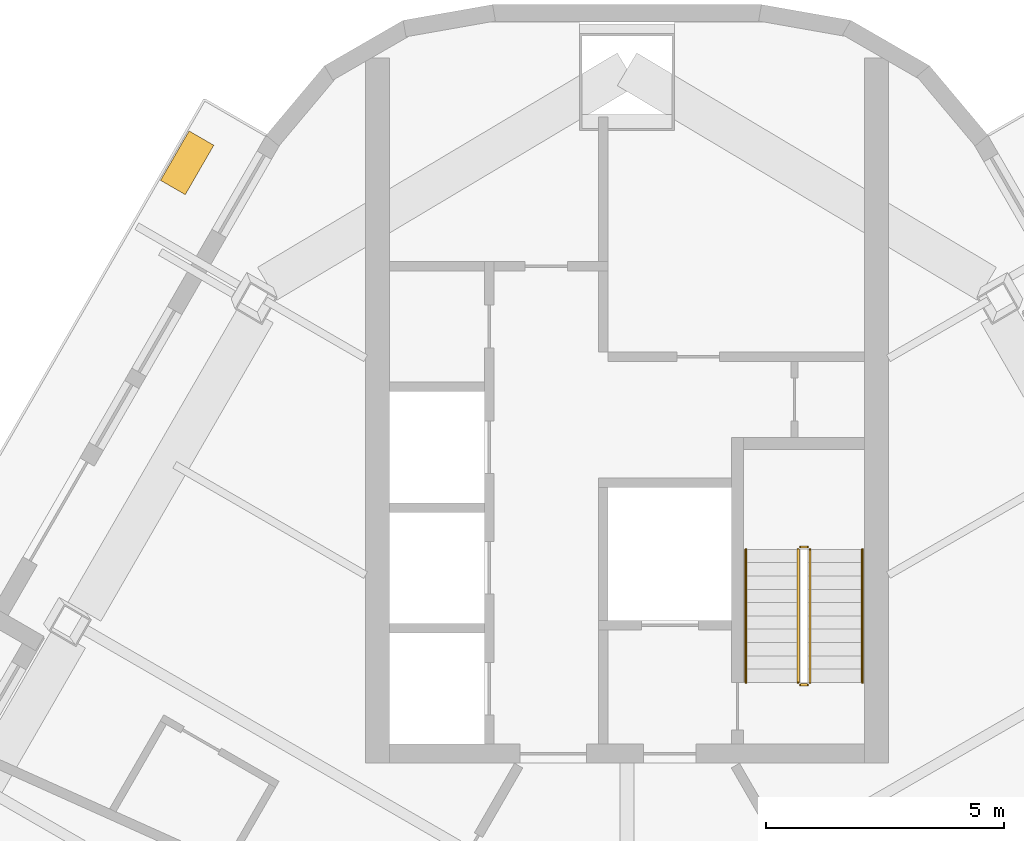
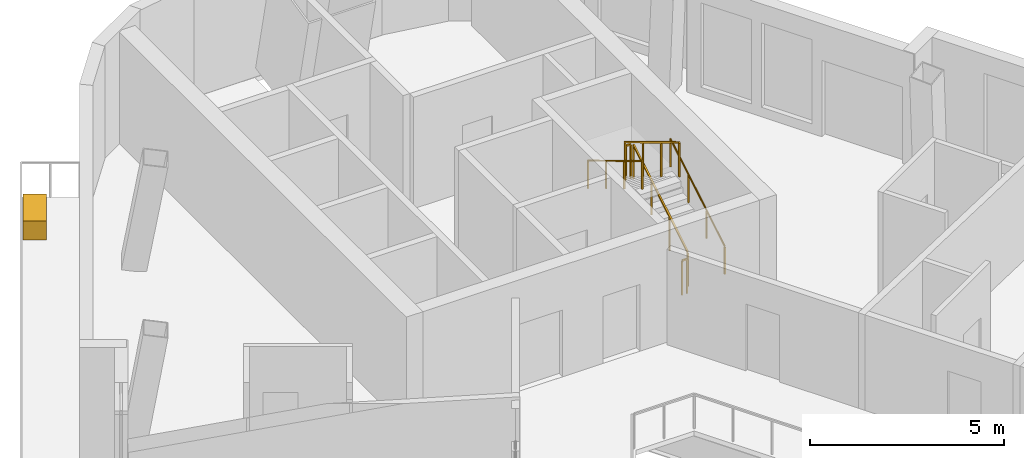
# One storey, part 14 of 14: 6 railings, 1 covering.
"""IFC4 building model written with IfcOpenShell, lengths in metres."""

import ifcopenshell
import ifcopenshell.guid

model = None  # the IFC model being written
_history = None  # IfcOwnerHistory: only IFC2X3 demands one
_inside = {}  # id of a spatial element -> (the spatial element, [elements in it])
_under = {}  # id of a project, library or spatial element -> (it, [spatial elements below it])
_declared = {}  # id of a project -> (the project, [libraries it declares])
_typed = {}  # id of a type object -> (the type object, [elements of that type])
_made_of = {}  # id of a material, layer set ... -> (it, [elements and type objects made of it])


def new_model(schema):
    """Start an empty IFC model of exactly this schema.

    Asked for "IFC4X3", IfcOpenShell would pick the latest addendum, in which some entities
    have other attributes; the version numbers below select the first issue.
    IFC2X3 requires an IfcOwnerHistory on every rooted entity: one is made here for all.
    """
    global model, _history
    if schema == "IFC4X3":
        model = ifcopenshell.file(schema_version=(4, 3, 0, 0))
    else:
        model = ifcopenshell.file(schema=schema)
    _inside.clear()
    _under.clear()
    _declared.clear()
    _typed.clear()
    _made_of.clear()
    _history = None
    if model.schema == "IFC2X3":
        org = make("IfcOrganization", Name="unknown")
        user = make(
            "IfcPersonAndOrganization",
            ThePerson=make("IfcPerson", FamilyName="unknown"),
            TheOrganization=org,
        )
        app = make(
            "IfcApplication",
            ApplicationDeveloper=org,
            Version="unknown",
            ApplicationFullName="unknown",
            ApplicationIdentifier="unknown",
        )
        _history = make(
            "IfcOwnerHistory",
            OwningUser=user,
            OwningApplication=app,
            ChangeAction="ADDED",
            CreationDate=0,
        )
    return model


def make(cls, **values):
    """One entity of the class cls with the attributes given. An attribute that is None is left unset."""
    return model.create_entity(
        cls, **{name: value for name, value in values.items() if value is not None}
    )


def rooted(cls, **values):
    """An entity with a GlobalId (a new one), such as an element, a storey or a relation."""
    return make(cls, GlobalId=ifcopenshell.guid.new(), OwnerHistory=_history, **values)


def si_unit(unit_type, name, prefix=None):
    """IfcSIUnit, for example si_unit("LENGTHUNIT", "METRE", prefix="MILLI")."""
    return make("IfcSIUnit", UnitType=unit_type, Prefix=prefix, Name=name)


def assignment(units):
    """IfcUnitAssignment: the units of a project."""
    return None if units is None else make("IfcUnitAssignment", Units=units)


def point(xyz):
    """IfcCartesianPoint."""
    return None if xyz is None else make("IfcCartesianPoint", Coordinates=xyz)


def direction(xyz):
    """IfcDirection."""
    return None if xyz is None else make("IfcDirection", DirectionRatios=xyz)


def frame(location, z_axis=None, x_axis=None):
    """IfcAxis2Placement3D, a coordinate frame: its origin and axes. An axis left out is left unset."""
    return make(
        "IfcAxis2Placement3D",
        Location=point(location),
        Axis=direction(z_axis),
        RefDirection=direction(x_axis),
    )


def frame_2d(location, x_axis=None):
    """IfcAxis2Placement2D, a coordinate frame in the plane: its origin and x axis."""
    return make(
        "IfcAxis2Placement2D", Location=point(location), RefDirection=direction(x_axis)
    )


def origin():
    """The frame at (0, 0, 0) with its axes left unset."""
    return frame((0.0, 0.0, 0.0))


def origin_2d():
    """The frame at (0, 0) in the plane with its x axis left unset."""
    return frame_2d((0.0, 0.0))


def place(relative_to, where):
    """IfcLocalPlacement: puts the frame where relative to a parent placement (None: the world)."""
    return make(
        "IfcLocalPlacement", PlacementRelTo=relative_to, RelativePlacement=where
    )


def context(
    kind, dimensions, precision=None, world=None, true_north=None, identifier=None
):
    """IfcGeometricRepresentationContext, for example the 3D "Model" context."""
    return make(
        "IfcGeometricRepresentationContext",
        ContextIdentifier=identifier,
        ContextType=kind,
        CoordinateSpaceDimension=dimensions,
        Precision=precision,
        WorldCoordinateSystem=world,
        TrueNorth=true_north,
    )


def subcontext(parent, identifier, kind, view, scale=None):
    """IfcGeometricRepresentationSubContext, for example "Body" below "Model"."""
    return make(
        "IfcGeometricRepresentationSubContext",
        ContextIdentifier=identifier,
        ContextType=kind,
        ParentContext=parent,
        TargetScale=scale,
        TargetView=view,
    )


def project(units=None, contexts=None):
    """IfcProject with its units and contexts."""
    return rooted(
        "IfcProject",
        Name="project",
        RepresentationContexts=contexts,
        UnitsInContext=assignment(units),
    )


def spatial(cls, under=None, at=None, **own):
    """A site, building, storey or space (cls), placed at a placement, below another one or the project."""
    s = rooted(cls, ObjectPlacement=at, **own)
    if under is not None:
        _under.setdefault(under.id(), (under, []))[1].append(s)
    return s


def profile(cls, at=None, kind="AREA", **sizes):
    """A parametric profile (cls). Its sizes go by their IFC names, for example OverallWidth=200.0."""
    return make(cls, ProfileType=kind, Position=at, **sizes)


def rectangle(**sizes):
    """IfcRectangleProfileDef."""
    return profile("IfcRectangleProfileDef", **sizes)


def circle(**sizes):
    """IfcCircleProfileDef."""
    return profile("IfcCircleProfileDef", **sizes)


def extrude(swept, where, along, depth):
    """IfcExtrudedAreaSolid: the profile swept, set in the frame where, extruded along a direction by depth."""
    return make(
        "IfcExtrudedAreaSolid",
        SweptArea=swept,
        Position=where,
        ExtrudedDirection=direction(along),
        Depth=depth,
    )


def shape(context_of_items, identifier, shape_type, items):
    """IfcShapeRepresentation: the items that make up one representation, for example the "Body"."""
    return make(
        "IfcShapeRepresentation",
        ContextOfItems=context_of_items,
        RepresentationIdentifier=identifier,
        RepresentationType=shape_type,
        Items=items,
    )


def material(Name=None, Category=None):
    """IfcMaterial."""
    return make("IfcMaterial", Name=Name, Category=Category)


def made_of(thing, what):
    """Note that an element or type object is made of a material, layer set ...; save() writes the relation."""
    if what is not None:
        _made_of.setdefault(what.id(), (what, []))[1].append(thing)
    return thing


def type_object(cls, material=None, **own):
    """A type object (cls), such as IfcWallType, which elements share."""
    return made_of(rooted(cls, **own), material)


def element(
    cls,
    number,
    at=None,
    inside=None,
    cuts=None,
    type_object=None,
    material=None,
    context=None,
    identifier="Body",
    shape_type=None,
    held_by="IfcProductDefinitionShape",
    body=None,
    shapes=None,
    **own,
):
    """One element of the class cls, such as IfcWall. Its Tag is "e" and its number.

    at: its placement. inside: the storey or other place that contains it. cuts: it is an
    opening in that element (IfcRelVoidsElement). A single representation is given by context,
    identifier, shape_type and body (its items); several are given by shapes. held_by: the class
    of the entity that holds the representations. save() writes the other relations.
    """
    e = rooted(cls, Tag="e%d" % number, ObjectPlacement=at, **own)
    if body is not None:
        shapes = [shape(context, identifier, shape_type, body)]
    if shapes is not None:
        e.Representation = make(held_by, Representations=shapes)
    if inside is not None:
        _inside.setdefault(inside.id(), (inside, []))[1].append(e)
    if cuts is not None:
        rooted(
            "IfcRelVoidsElement", RelatingBuildingElement=cuts, RelatedOpeningElement=e
        )
    if type_object is not None:
        _typed.setdefault(type_object.id(), (type_object, []))[1].append(e)
    return made_of(e, material)


def aggregate(whole, parts):
    """IfcRelAggregates: a whole, such as a stair, and the parts it consists of."""
    return rooted("IfcRelAggregates", RelatingObject=whole, RelatedObjects=parts)


def save(model, path):
    """Write the relations noted so far, then the file.

    IfcRelAggregates (storeys below a building ...), IfcRelContainedInSpatialStructure (elements
    in a storey), IfcRelDefinesByType, IfcRelAssociatesMaterial and IfcRelDeclares: one each for
    every whole, place, type object, material and project.
    """
    for whole, parts in _under.values():
        aggregate(whole, parts)
    for where, things in _inside.values():
        rooted(
            "IfcRelContainedInSpatialStructure",
            RelatedElements=things,
            RelatingStructure=where,
        )
    for kind, things in _typed.values():
        rooted("IfcRelDefinesByType", RelatedObjects=things, RelatingType=kind)
    for what, things in _made_of.values():
        rooted("IfcRelAssociatesMaterial", RelatedObjects=things, RelatingMaterial=what)
    for by, libraries in _declared.values():
        rooted("IfcRelDeclares", RelatingContext=by, RelatedDefinitions=libraries)
    model.write(path)


model = new_model("IFC4")

# Units and contexts
model_context = context("Model", 3, precision=1e-05, world=origin(), true_north=direction((0.0, 1.0)))
body_context = subcontext(model_context, "Body", "Model", "MODEL_VIEW")
ifc_project = project(units=[si_unit("LENGTHUNIT", "METRE"), si_unit("AREAUNIT", "SQUARE_METRE"), si_unit("VOLUMEUNIT", "CUBIC_METRE"), si_unit("PLANEANGLEUNIT", "RADIAN"), si_unit("MASSUNIT", "GRAM", prefix="KILO")], contexts=[model_context])

# Site, building, storey
site_placement = place(None, origin())
site = spatial("IfcSite", under=ifc_project, at=site_placement, CompositionType="ELEMENT")
building_placement = place(site_placement, origin())
building = spatial("IfcBuilding", under=site, at=building_placement, Name="Apuvela Tower Hotel", CompositionType="ELEMENT")
storey_placement = place(building_placement, frame((0.0, 0.0, 254.10009765625)))
storey = spatial("IfcBuildingStorey", under=building, at=storey_placement, Name="L62", CompositionType="ELEMENT", Elevation=254.10009765625)

# Railings
ifc_material_1 = material(Name="Steel S275 balustrade", Category="steel")
railing_type_1 = type_object("IfcRailingType", Name="COR-GUARD-1100", PredefinedType="GUARDRAIL", material=ifc_material_1)
railing_1_placement = place(storey_placement, frame((3.85009765625, 14.60009765625, 0.16796875)))
element("IfcRailing", 1, at=railing_1_placement, inside=storey, type_object=railing_type_1, Name="L62 ST1 stair guard 1", PredefinedType="GUARDRAIL", context=body_context, shape_type="SweptSolid", body=[
    extrude(rectangle(XDim=0.048095703125, YDim=0.048095703125, at=origin_2d()), frame((0.0, 0.0, 1.076171875), z_axis=(0.0, 0.857222391501, 0.514946377315), x_axis=(-1.0, 0.0, 0.0)), (0.0, 0.0, 1.0), 3.26611328125),
    extrude(rectangle(XDim=0.0419921875, YDim=0.0419921875, at=origin_2d()), origin(), (0.0, 0.0, 1.0), 1.052001953125),
    extrude(rectangle(XDim=0.0419921875, YDim=0.0419921875, at=origin_2d()), frame((0.0, 0.933349609375, 0.560546875)), (0.0, 0.0, 1.0), 1.052001953125),
    extrude(rectangle(XDim=0.0419921875, YDim=0.0419921875, at=origin_2d()), frame((0.0, 1.866455078125, 1.121337890625)), (0.0, 0.0, 1.0), 1.052001953125),
    extrude(rectangle(XDim=0.0419921875, YDim=0.0419921875, at=origin_2d()), frame((0.0, 2.7998046875, 1.681884765625)), (0.0, 0.0, 1.0), 1.052001953125),
])
railing_2_placement = place(storey_placement, frame((3.800048828125, 17.449951171875, 1.849853515625)))
element("IfcRailing", 2, at=railing_2_placement, inside=storey, type_object=railing_type_1, Name="L62 ST1 stair guard 2", PredefinedType="GUARDRAIL", context=body_context, shape_type="SweptSolid", body=[
    extrude(rectangle(XDim=0.048095703125, YDim=0.048095703125, at=origin_2d()), frame((0.0, 0.0, 1.076171875), z_axis=(-1.0, 0.0, 0.0), x_axis=(0.0, -1.0, 0.0)), (0.0, 0.0, 1.0), 0.150146484375),
    extrude(rectangle(XDim=0.0419921875, YDim=0.0419921875, at=origin_2d()), origin(), (0.0, 0.0, 1.0), 1.052001953125),
    extrude(rectangle(XDim=0.0419921875, YDim=0.0419921875, at=origin_2d()), frame((-0.150146484375, 0.0, 0.0)), (0.0, 0.0, 1.0), 1.052001953125),
])
railing_3_placement = place(storey_placement, frame((3.60009765625, 17.39990234375, 2.01806640625)))
element("IfcRailing", 3, at=railing_3_placement, inside=storey, type_object=railing_type_1, Name="L62 ST1 stair guard 3", PredefinedType="GUARDRAIL", context=body_context, shape_type="SweptSolid", body=[
    extrude(rectangle(XDim=0.048095703125, YDim=0.048095703125, at=origin_2d()), frame((0.0, 0.0, 1.076171875), z_axis=(0.0, -0.857222391501, 0.514946377315), x_axis=(1.0, 0.0, 0.0)), (0.0, 0.0, 1.0), 3.26611328125),
    extrude(rectangle(XDim=0.0419921875, YDim=0.0419921875, at=origin_2d()), origin(), (0.0, 0.0, 1.0), 1.052001953125),
    extrude(rectangle(XDim=0.0419921875, YDim=0.0419921875, at=origin_2d()), frame((0.0, -0.933349609375, 0.560546875)), (0.0, 0.0, 1.0), 1.052001953125),
    extrude(rectangle(XDim=0.0419921875, YDim=0.0419921875, at=origin_2d()), frame((0.0, -1.866455078125, 1.121337890625)), (0.0, 0.0, 1.0), 1.052001953125),
    extrude(rectangle(XDim=0.0419921875, YDim=0.0419921875, at=origin_2d()), frame((0.0, -2.7998046875, 1.681884765625)), (0.0, 0.0, 1.0), 1.052001953125),
])
railing_4_placement = place(storey_placement, frame((3.800048828125, 14.550048828125, 0.0)))
element("IfcRailing", 4, at=railing_4_placement, inside=storey, type_object=railing_type_1, Name="L62 ST1 stair guard 4", PredefinedType="GUARDRAIL", context=body_context, shape_type="SweptSolid", body=[
    extrude(rectangle(XDim=0.048095703125, YDim=0.048095703125, at=origin_2d()), frame((0.0, 0.0, 1.076171875), z_axis=(-1.0, 0.0, 0.0), x_axis=(0.0, -1.0, 0.0)), (0.0, 0.0, 1.0), 0.150146484375),
    extrude(rectangle(XDim=0.0419921875, YDim=0.0419921875, at=origin_2d()), origin(), (0.0, 0.0, 1.0), 1.052001953125),
    extrude(rectangle(XDim=0.0419921875, YDim=0.0419921875, at=origin_2d()), frame((-0.150146484375, 0.0, 0.0)), (0.0, 0.0, 1.0), 1.052001953125),
])
ifc_material_2 = material(Name="Stainless steel 316 handrail", Category="steel")
railing_type_2 = type_object("IfcRailingType", Name="COR-HANDRAIL-900", PredefinedType="HANDRAIL", material=ifc_material_2)
railing_5_placement = place(storey_placement, frame((4.949951171875, 14.60009765625, 0.16796875)))
element("IfcRailing", 5, at=railing_5_placement, inside=storey, type_object=railing_type_2, Name="L62 ST1 stair handrail 1", PredefinedType="HANDRAIL", context=body_context, shape_type="SweptSolid", body=[
    extrude(circle(Radius=0.02392578125, at=origin_2d()), frame((0.0, 0.0, 0.8759765625), z_axis=(0.0, 0.857222391501, 0.514946377315), x_axis=(-1.0, 0.0, 0.0)), (0.0, 0.0, 1.0), 3.26611328125),
    extrude(rectangle(XDim=0.0419921875, YDim=0.0419921875, at=origin_2d()), origin(), (0.0, 0.0, 1.0), 0.851806640625),
    extrude(rectangle(XDim=0.0419921875, YDim=0.0419921875, at=origin_2d()), frame((0.0, 0.933349609375, 0.560546875)), (0.0, 0.0, 1.0), 0.851806640625),
    extrude(rectangle(XDim=0.0419921875, YDim=0.0419921875, at=origin_2d()), frame((0.0, 1.866455078125, 1.121337890625)), (0.0, 0.0, 1.0), 0.851806640625),
    extrude(rectangle(XDim=0.0419921875, YDim=0.0419921875, at=origin_2d()), frame((0.0, 2.7998046875, 1.681884765625)), (0.0, 0.0, 1.0), 0.851806640625),
])
railing_6_placement = place(storey_placement, frame((2.5, 17.39990234375, 2.01806640625)))
element("IfcRailing", 6, at=railing_6_placement, inside=storey, type_object=railing_type_2, Name="L62 ST1 stair handrail 2", PredefinedType="HANDRAIL", context=body_context, shape_type="SweptSolid", body=[
    extrude(circle(Radius=0.02392578125, at=origin_2d()), frame((0.0, 0.0, 0.8759765625), z_axis=(0.0, -0.857222391501, 0.514946377315), x_axis=(1.0, 0.0, 0.0)), (0.0, 0.0, 1.0), 3.26611328125),
    extrude(rectangle(XDim=0.0419921875, YDim=0.0419921875, at=origin_2d()), origin(), (0.0, 0.0, 1.0), 0.851806640625),
    extrude(rectangle(XDim=0.0419921875, YDim=0.0419921875, at=origin_2d()), frame((0.0, -0.933349609375, 0.560546875)), (0.0, 0.0, 1.0), 0.851806640625),
    extrude(rectangle(XDim=0.0419921875, YDim=0.0419921875, at=origin_2d()), frame((0.0, -1.866455078125, 1.121337890625)), (0.0, 0.0, 1.0), 0.851806640625),
    extrude(rectangle(XDim=0.0419921875, YDim=0.0419921875, at=origin_2d()), frame((0.0, -2.7998046875, 1.681884765625)), (0.0, 0.0, 1.0), 0.851806640625),
])

# Covering
ifc_material_3 = material(Name="Planting substrate and soil, planted")
covering_type = type_object("IfcCoveringType", Name="ENV-PLANTER-1200x600", PredefinedType="USERDEFINED", material=ifc_material_3)
covering_placement = place(storey_placement, frame((-9.253662109375, 25.5322265625, -0.000244140625), z_axis=(0.0, 0.0, 1.0), x_axis=(-0.5, -0.866025403784, 0.0)))
element("IfcCovering", 7, at=covering_placement, inside=storey, type_object=covering_type, Name="Planter NW4", ObjectType="PLANTER", PredefinedType="USERDEFINED", context=body_context, shape_type="SweptSolid", body=[
    extrude(rectangle(XDim=1.199951171875, YDim=0.60009765625, at=origin_2d()), origin(), (0.0, 0.0, 1.0), 0.60009765625),
])

save(model, "model.ifc")
